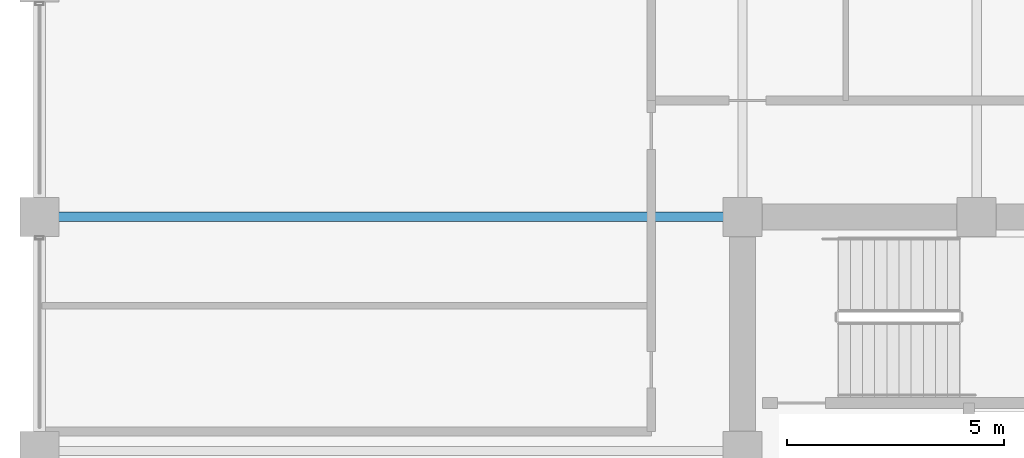
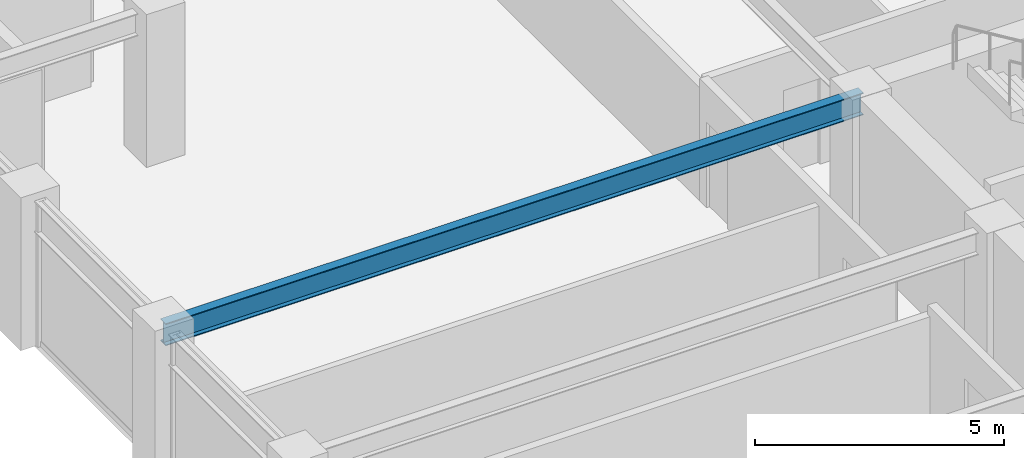
# One storey, part 17 of 32: 1 beam.
"""IFC4 building model written with IfcOpenShell, lengths in metres."""

from ifc_helpers import new_model, si_unit, direction, frame, origin, origin_2d, place, context, subcontext, project, spatial, i_section, extrude, material, material_profile, profile_set, type_object, element, save


model = new_model("IFC4")

# Units and contexts
model_context = context("Model", 3, precision=1e-05, world=origin(), true_north=direction((0.0, 1.0)))
body_context = subcontext(model_context, "Body", "Model", "MODEL_VIEW")
ifc_project = project(units=[si_unit("LENGTHUNIT", "METRE"), si_unit("AREAUNIT", "SQUARE_METRE"), si_unit("VOLUMEUNIT", "CUBIC_METRE"), si_unit("PLANEANGLEUNIT", "RADIAN"), si_unit("MASSUNIT", "GRAM", prefix="KILO")], contexts=[model_context])

# Site, building, storey
site_placement = place(None, origin())
site = spatial("IfcSite", under=ifc_project, at=site_placement, CompositionType="ELEMENT")
building_placement = place(site_placement, origin())
building = spatial("IfcBuilding", under=site, at=building_placement, Name="Surkhivell Harbour Commons", CompositionType="ELEMENT")
storey_placement = place(building_placement, frame((0.0, 0.0, 197.25)))
storey = spatial("IfcBuildingStorey", under=building, at=storey_placement, Name="L51", CompositionType="ELEMENT", Elevation=197.25)

# Beam
ifc_material = material(Name="Steel S355", Category="steel")
ifc_material_profile = material_profile(ifc_material, i_section(OverallWidth=0.2119140625, OverallDepth=0.5439453125, WebThickness=0.0126953125, FlangeThickness=0.021240234375, at=origin_2d()), Name="UB533x210x122")
ifc_profile_set = profile_set([ifc_material_profile], Name="Steel S355")
beam_type = type_object("IfcBeamType", Name="BM-GRD-533A", PredefinedType="BEAM", material=ifc_profile_set)
beam_placement = place(storey_placement, frame((-27.0, 10.800048828125, 3.298095703125), z_axis=(1.0, 0.0, 0.0), x_axis=(0.0, 1.0, 0.0)))
element("IfcBeam", 1, at=beam_placement, inside=storey, type_object=beam_type, Name="L51 Floor Girder (-27.0,10.8)", PredefinedType="BEAM", context=body_context, shape_type="SweptSolid", body=[
    extrude(i_section(OverallWidth=0.2119140625, OverallDepth=0.5439453125, WebThickness=0.0126953125, FlangeThickness=0.021240234375, at=origin_2d()), origin(), (0.0, 0.0, 1.0), 16.199951171875),
])

save(model, "model.ifc")
